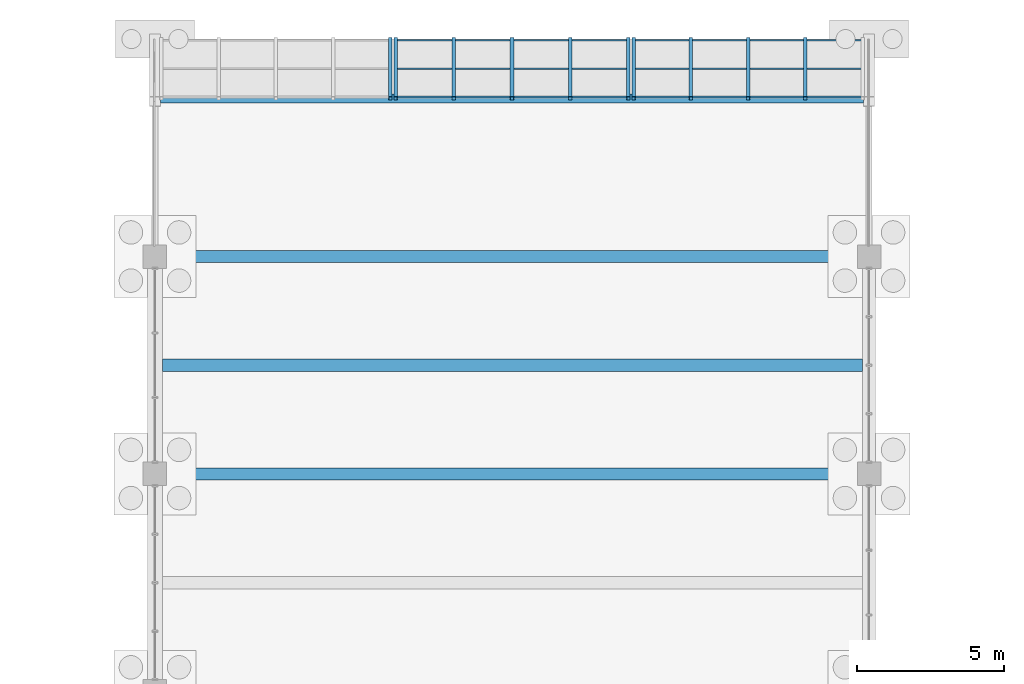
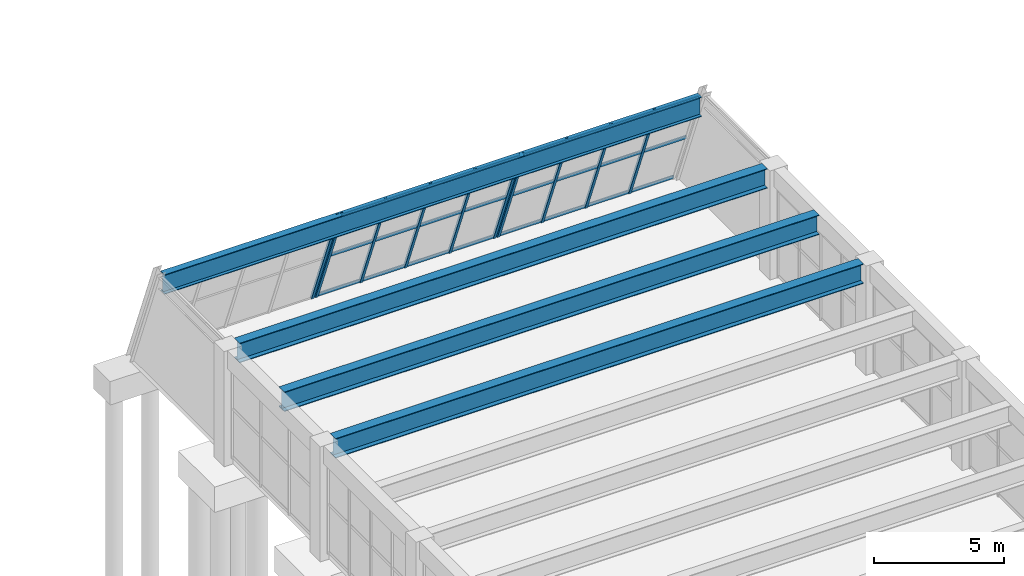
# One storey, part 88 of 140: 16 members, 4 beams, 3 elements without a shape of their own.
"""IFC4 building model written with IfcOpenShell, lengths in metres."""

import ifcopenshell
import ifcopenshell.guid

model = None  # the IFC model being written
_history = None  # IfcOwnerHistory: only IFC2X3 demands one
_inside = {}  # id of a spatial element -> (the spatial element, [elements in it])
_under = {}  # id of a project, library or spatial element -> (it, [spatial elements below it])
_declared = {}  # id of a project -> (the project, [libraries it declares])
_typed = {}  # id of a type object -> (the type object, [elements of that type])
_made_of = {}  # id of a material, layer set ... -> (it, [elements and type objects made of it])


def new_model(schema):
    """Start an empty IFC model of exactly this schema.

    Asked for "IFC4X3", IfcOpenShell would pick the latest addendum, in which some entities
    have other attributes; the version numbers below select the first issue.
    IFC2X3 requires an IfcOwnerHistory on every rooted entity: one is made here for all.
    """
    global model, _history
    if schema == "IFC4X3":
        model = ifcopenshell.file(schema_version=(4, 3, 0, 0))
    else:
        model = ifcopenshell.file(schema=schema)
    _inside.clear()
    _under.clear()
    _declared.clear()
    _typed.clear()
    _made_of.clear()
    _history = None
    if model.schema == "IFC2X3":
        org = make("IfcOrganization", Name="unknown")
        user = make(
            "IfcPersonAndOrganization",
            ThePerson=make("IfcPerson", FamilyName="unknown"),
            TheOrganization=org,
        )
        app = make(
            "IfcApplication",
            ApplicationDeveloper=org,
            Version="unknown",
            ApplicationFullName="unknown",
            ApplicationIdentifier="unknown",
        )
        _history = make(
            "IfcOwnerHistory",
            OwningUser=user,
            OwningApplication=app,
            ChangeAction="ADDED",
            CreationDate=0,
        )
    return model


def make(cls, **values):
    """One entity of the class cls with the attributes given. An attribute that is None is left unset."""
    return model.create_entity(
        cls, **{name: value for name, value in values.items() if value is not None}
    )


def rooted(cls, **values):
    """An entity with a GlobalId (a new one), such as an element, a storey or a relation."""
    return make(cls, GlobalId=ifcopenshell.guid.new(), OwnerHistory=_history, **values)


def si_unit(unit_type, name, prefix=None):
    """IfcSIUnit, for example si_unit("LENGTHUNIT", "METRE", prefix="MILLI")."""
    return make("IfcSIUnit", UnitType=unit_type, Prefix=prefix, Name=name)


def assignment(units):
    """IfcUnitAssignment: the units of a project."""
    return None if units is None else make("IfcUnitAssignment", Units=units)


def point(xyz):
    """IfcCartesianPoint."""
    return None if xyz is None else make("IfcCartesianPoint", Coordinates=xyz)


def direction(xyz):
    """IfcDirection."""
    return None if xyz is None else make("IfcDirection", DirectionRatios=xyz)


def frame(location, z_axis=None, x_axis=None):
    """IfcAxis2Placement3D, a coordinate frame: its origin and axes. An axis left out is left unset."""
    return make(
        "IfcAxis2Placement3D",
        Location=point(location),
        Axis=direction(z_axis),
        RefDirection=direction(x_axis),
    )


def frame_2d(location, x_axis=None):
    """IfcAxis2Placement2D, a coordinate frame in the plane: its origin and x axis."""
    return make(
        "IfcAxis2Placement2D", Location=point(location), RefDirection=direction(x_axis)
    )


def origin():
    """The frame at (0, 0, 0) with its axes left unset."""
    return frame((0.0, 0.0, 0.0))


def origin_2d():
    """The frame at (0, 0) in the plane with its x axis left unset."""
    return frame_2d((0.0, 0.0))


def place(relative_to, where):
    """IfcLocalPlacement: puts the frame where relative to a parent placement (None: the world)."""
    return make(
        "IfcLocalPlacement", PlacementRelTo=relative_to, RelativePlacement=where
    )


def context(
    kind, dimensions, precision=None, world=None, true_north=None, identifier=None
):
    """IfcGeometricRepresentationContext, for example the 3D "Model" context."""
    return make(
        "IfcGeometricRepresentationContext",
        ContextIdentifier=identifier,
        ContextType=kind,
        CoordinateSpaceDimension=dimensions,
        Precision=precision,
        WorldCoordinateSystem=world,
        TrueNorth=true_north,
    )


def subcontext(parent, identifier, kind, view, scale=None):
    """IfcGeometricRepresentationSubContext, for example "Body" below "Model"."""
    return make(
        "IfcGeometricRepresentationSubContext",
        ContextIdentifier=identifier,
        ContextType=kind,
        ParentContext=parent,
        TargetScale=scale,
        TargetView=view,
    )


def project(units=None, contexts=None):
    """IfcProject with its units and contexts."""
    return rooted(
        "IfcProject",
        Name="project",
        RepresentationContexts=contexts,
        UnitsInContext=assignment(units),
    )


def spatial(cls, under=None, at=None, **own):
    """A site, building, storey or space (cls), placed at a placement, below another one or the project."""
    s = rooted(cls, ObjectPlacement=at, **own)
    if under is not None:
        _under.setdefault(under.id(), (under, []))[1].append(s)
    return s


def profile(cls, at=None, kind="AREA", **sizes):
    """A parametric profile (cls). Its sizes go by their IFC names, for example OverallWidth=200.0."""
    return make(cls, ProfileType=kind, Position=at, **sizes)


def hollow_rectangle(**sizes):
    """IfcRectangleHollowProfileDef."""
    return profile("IfcRectangleHollowProfileDef", **sizes)


def i_section(**sizes):
    """IfcIShapeProfileDef."""
    return profile("IfcIShapeProfileDef", **sizes)


def extrude(swept, where, along, depth):
    """IfcExtrudedAreaSolid: the profile swept, set in the frame where, extruded along a direction by depth."""
    return make(
        "IfcExtrudedAreaSolid",
        SweptArea=swept,
        Position=where,
        ExtrudedDirection=direction(along),
        Depth=depth,
    )


def shape(context_of_items, identifier, shape_type, items):
    """IfcShapeRepresentation: the items that make up one representation, for example the "Body"."""
    return make(
        "IfcShapeRepresentation",
        ContextOfItems=context_of_items,
        RepresentationIdentifier=identifier,
        RepresentationType=shape_type,
        Items=items,
    )


def material(Name=None, Category=None):
    """IfcMaterial."""
    return make("IfcMaterial", Name=Name, Category=Category)


def material_profile(
    of_material, cross_section, Name=None, Category=None, Priority=None
):
    """IfcMaterialProfile: a cross section and its material."""
    return make(
        "IfcMaterialProfile",
        Name=Name,
        Material=of_material,
        Profile=cross_section,
        Priority=Priority,
        Category=Category,
    )


def profile_set(profiles, Name=None, composite=None):
    """IfcMaterialProfileSet."""
    return make(
        "IfcMaterialProfileSet",
        Name=Name,
        MaterialProfiles=profiles,
        CompositeProfile=composite,
    )


def made_of(thing, what):
    """Note that an element or type object is made of a material, layer set ...; save() writes the relation."""
    if what is not None:
        _made_of.setdefault(what.id(), (what, []))[1].append(thing)
    return thing


def type_object(cls, material=None, **own):
    """A type object (cls), such as IfcWallType, which elements share."""
    return made_of(rooted(cls, **own), material)


def element(
    cls,
    number,
    at=None,
    inside=None,
    cuts=None,
    type_object=None,
    material=None,
    context=None,
    identifier="Body",
    shape_type=None,
    held_by="IfcProductDefinitionShape",
    body=None,
    shapes=None,
    **own,
):
    """One element of the class cls, such as IfcWall. Its Tag is "e" and its number.

    at: its placement. inside: the storey or other place that contains it. cuts: it is an
    opening in that element (IfcRelVoidsElement). A single representation is given by context,
    identifier, shape_type and body (its items); several are given by shapes. held_by: the class
    of the entity that holds the representations. save() writes the other relations.
    """
    e = rooted(cls, Tag="e%d" % number, ObjectPlacement=at, **own)
    if body is not None:
        shapes = [shape(context, identifier, shape_type, body)]
    if shapes is not None:
        e.Representation = make(held_by, Representations=shapes)
    if inside is not None:
        _inside.setdefault(inside.id(), (inside, []))[1].append(e)
    if cuts is not None:
        rooted(
            "IfcRelVoidsElement", RelatingBuildingElement=cuts, RelatedOpeningElement=e
        )
    if type_object is not None:
        _typed.setdefault(type_object.id(), (type_object, []))[1].append(e)
    return made_of(e, material)


def aggregate(whole, parts):
    """IfcRelAggregates: a whole, such as a stair, and the parts it consists of."""
    return rooted("IfcRelAggregates", RelatingObject=whole, RelatedObjects=parts)


def save(model, path):
    """Write the relations noted so far, then the file.

    IfcRelAggregates (storeys below a building ...), IfcRelContainedInSpatialStructure (elements
    in a storey), IfcRelDefinesByType, IfcRelAssociatesMaterial and IfcRelDeclares: one each for
    every whole, place, type object, material and project.
    """
    for whole, parts in _under.values():
        aggregate(whole, parts)
    for where, things in _inside.values():
        rooted(
            "IfcRelContainedInSpatialStructure",
            RelatedElements=things,
            RelatingStructure=where,
        )
    for kind, things in _typed.values():
        rooted("IfcRelDefinesByType", RelatedObjects=things, RelatingType=kind)
    for what, things in _made_of.values():
        rooted("IfcRelAssociatesMaterial", RelatedObjects=things, RelatingMaterial=what)
    for by, libraries in _declared.values():
        rooted("IfcRelDeclares", RelatingContext=by, RelatedDefinitions=libraries)
    model.write(path)


model = new_model("IFC4")

# Units and contexts
model_context = context("Model", 3, precision=1e-05, world=origin(), true_north=direction((0.0, 1.0)))
body_context = subcontext(model_context, "Body", "Model", "MODEL_VIEW")
ifc_project = project(units=[si_unit("LENGTHUNIT", "METRE"), si_unit("AREAUNIT", "SQUARE_METRE"), si_unit("VOLUMEUNIT", "CUBIC_METRE"), si_unit("PLANEANGLEUNIT", "RADIAN"), si_unit("MASSUNIT", "GRAM", prefix="KILO")], contexts=[model_context])

# Site, building, storey
site_placement = place(None, origin())
site = spatial("IfcSite", under=ifc_project, at=site_placement, CompositionType="ELEMENT")
building_placement = place(site_placement, origin())
building = spatial("IfcBuilding", under=site, at=building_placement, Name="Cimatlan Art Gallery", CompositionType="ELEMENT")
storey_placement = place(building_placement, origin())
storey = spatial("IfcBuildingStorey", under=building, at=storey_placement, Name="L00", CompositionType="ELEMENT", Elevation=0.0)

# Beams
ifc_material_1 = material(Name="Steel ASTM A992 Grade 50", Category="steel")
ifc_material_profile_1 = material_profile(ifc_material_1, i_section(OverallWidth=0.41796875, OverallDepth=0.927001953125, WebThickness=0.019287109375, FlangeThickness=0.031982421875, at=origin_2d()), Name="W36X231")
ifc_profile_set_1 = profile_set([ifc_material_profile_1], Name="Steel ASTM A992 Grade 50")
beam_type_1 = type_object("IfcBeamType", Name="BM-SPAN24-L01", PredefinedType="BEAM", material=ifc_profile_set_1)
beam_1_placement = place(storey_placement, frame((75.300048828125, 97.89990234375, 4.67138671875), z_axis=(1.0, 0.0, 0.0), x_axis=(0.0, 1.0, 0.0)))
element("IfcBeam", 1, at=beam_1_placement, inside=storey, type_object=beam_type_1, Name="BM-SP24-L00-13", PredefinedType="BEAM", context=body_context, shape_type="SweptSolid", body=[
    extrude(i_section(OverallWidth=0.41796875, OverallDepth=0.927001953125, WebThickness=0.019287109375, FlangeThickness=0.031982421875, at=origin_2d()), origin(), (0.0, 0.0, 1.0), 23.5),
])
beam_2_placement = place(storey_placement, frame((75.14990234375, 101.60009765625, 4.67138671875), z_axis=(1.0, 0.0, 0.0), x_axis=(0.0, 1.0, 0.0)))
element("IfcBeam", 2, at=beam_2_placement, inside=storey, type_object=beam_type_1, Name="BM-SP24M-L00-13", PredefinedType="BEAM", context=body_context, shape_type="SweptSolid", body=[
    extrude(i_section(OverallWidth=0.41796875, OverallDepth=0.927001953125, WebThickness=0.019287109375, FlangeThickness=0.031982421875, at=origin_2d()), origin(), (0.0, 0.0, 1.0), 23.8251953125),
])
beam_3_placement = place(storey_placement, frame((75.300048828125, 105.300048828125, 4.67138671875), z_axis=(1.0, 0.0, 0.0), x_axis=(0.0, 1.0, 0.0)))
element("IfcBeam", 3, at=beam_3_placement, inside=storey, type_object=beam_type_1, Name="BM-SP24-L00-14", PredefinedType="BEAM", context=body_context, shape_type="SweptSolid", body=[
    extrude(i_section(OverallWidth=0.41796875, OverallDepth=0.927001953125, WebThickness=0.019287109375, FlangeThickness=0.031982421875, at=origin_2d()), origin(), (0.0, 0.0, 1.0), 23.5),
])
ifc_material_profile_2 = material_profile(ifc_material_1, i_section(OverallWidth=0.306884765625, OverallDepth=0.923095703125, WebThickness=0.018310546875, FlangeThickness=0.030029296875, at=origin_2d()), Name="W36X182")
ifc_profile_set_2 = profile_set([ifc_material_profile_2], Name="Steel ASTM A992 Grade 50")
beam_type_2 = type_object("IfcBeamType", Name="BM-SPAN24-L02", PredefinedType="BEAM", material=ifc_profile_set_2)
beam_4_placement = place(storey_placement, frame((75.090087890625, 110.67724609375, 4.673583984375), z_axis=(1.0, 0.0, 0.0), x_axis=(0.0, 1.0, 0.0)))
element("IfcBeam", 4, at=beam_4_placement, inside=storey, type_object=beam_type_2, Name="BM-PRW-X-L00-B3", PredefinedType="BEAM", context=body_context, shape_type="SweptSolid", body=[
    extrude(i_section(OverallWidth=0.306884765625, OverallDepth=0.923095703125, WebThickness=0.018310546875, FlangeThickness=0.030029296875, at=origin_2d()), origin(), (0.0, 0.0, 1.0), 23.919921875),
])

# Curtain wall, member
ifc_material_2 = material(Name="Raked steel-and-bronze lancet curtain wall", Category="steel")
curtain_wall_type_1 = type_object("IfcCurtainWallType", Name="CW-RAK-07790X05503-B4", PredefinedType="NOTDEFINED", material=ifc_material_2)
curtain_wall_1_placement = place(storey_placement, origin())
curtain_wall_1 = element("IfcCurtainWall", 5, at=curtain_wall_1_placement, inside=storey, type_object=curtain_wall_type_1, Name="CW-PROW-L00-B3-9", PredefinedType="NOTDEFINED")
ifc_material_3 = material(Name="Steel ASTM A500 Grade C", Category="steel")
ifc_material_profile_3 = material_profile(ifc_material_3, hollow_rectangle(XDim=0.1201171875, YDim=0.1201171875, WallThickness=0.00634765625, at=origin_2d()), Name="HSS120X120X6")
ifc_profile_set_3 = profile_set([ifc_material_profile_3], Name="Steel ASTM A500 Grade C")
member_type_1 = type_object("IfcMemberType", Name="CW-MUL-RAK", PredefinedType="MULLION", material=ifc_profile_set_3)
member_1_placement = place(storey_placement, frame((82.909912109375, 112.699951171875, 0.0), z_axis=(0.0, -0.366497751223, 0.930418937011), x_axis=(1.0, 0.0, 0.0)))
member_1 = element("IfcMember", 6, at=member_1_placement, type_object=member_type_1, Name="CW-PROW-L00-B3-9-M5", PredefinedType="MULLION", context=body_context, shape_type="SweptSolid", body=[
    extrude(hollow_rectangle(XDim=0.1201171875, YDim=0.1201171875, WallThickness=0.00634765625, at=origin_2d()), origin(), (0.0, 0.0, 1.0), 5.5029296875),
])
aggregate(curtain_wall_1, [member_1])

# Curtain wall, members
curtain_wall_type_2 = type_object("IfcCurtainWallType", Name="CW-RAK-07920X05503-B4", PredefinedType="NOTDEFINED", material=ifc_material_2)
curtain_wall_2_placement = place(storey_placement, origin())
curtain_wall_2 = element("IfcCurtainWall", 7, at=curtain_wall_2_placement, inside=storey, type_object=curtain_wall_type_2, Name="CW-PROW-L00-B3-10", PredefinedType="NOTDEFINED")
member_2_placement = place(storey_placement, frame((83.090087890625, 112.699951171875, 0.0), z_axis=(0.0, -0.366497751223, 0.930418937011), x_axis=(1.0, 0.0, 0.0)))
member_2 = element("IfcMember", 8, at=member_2_placement, type_object=member_type_1, Name="CW-PROW-L00-B3-10-M1", PredefinedType="MULLION", context=body_context, shape_type="SweptSolid", body=[
    extrude(hollow_rectangle(XDim=0.1201171875, YDim=0.1201171875, WallThickness=0.00634765625, at=origin_2d()), origin(), (0.0, 0.0, 1.0), 5.5029296875),
])
member_3_placement = place(storey_placement, frame((85.070068359375, 112.699951171875, 0.0), z_axis=(0.0, -0.366497751223, 0.930418937011), x_axis=(1.0, 0.0, 0.0)))
member_3 = element("IfcMember", 9, at=member_3_placement, type_object=member_type_1, Name="CW-PROW-L00-B3-10-M2", PredefinedType="MULLION", context=body_context, shape_type="SweptSolid", body=[
    extrude(hollow_rectangle(XDim=0.1201171875, YDim=0.1201171875, WallThickness=0.00634765625, at=origin_2d()), origin(), (0.0, 0.0, 1.0), 5.5029296875),
])
member_4_placement = place(storey_placement, frame((87.050048828125, 112.699951171875, 0.0), z_axis=(0.0, -0.366497751223, 0.930418937011), x_axis=(1.0, 0.0, 0.0)))
member_4 = element("IfcMember", 10, at=member_4_placement, type_object=member_type_1, Name="CW-PROW-L00-B3-10-M3", PredefinedType="MULLION", context=body_context, shape_type="SweptSolid", body=[
    extrude(hollow_rectangle(XDim=0.1201171875, YDim=0.1201171875, WallThickness=0.00634765625, at=origin_2d()), origin(), (0.0, 0.0, 1.0), 5.5029296875),
])
member_5_placement = place(storey_placement, frame((89.030029296875, 112.699951171875, 0.0), z_axis=(0.0, -0.366497751223, 0.930418937011), x_axis=(1.0, 0.0, 0.0)))
member_5 = element("IfcMember", 11, at=member_5_placement, type_object=member_type_1, Name="CW-PROW-L00-B3-10-M4", PredefinedType="MULLION", context=body_context, shape_type="SweptSolid", body=[
    extrude(hollow_rectangle(XDim=0.1201171875, YDim=0.1201171875, WallThickness=0.00634765625, at=origin_2d()), origin(), (0.0, 0.0, 1.0), 5.5029296875),
])
member_6_placement = place(storey_placement, frame((91.010009765625, 112.699951171875, 0.0), z_axis=(0.0, -0.366497751223, 0.930418937011), x_axis=(1.0, 0.0, 0.0)))
member_6 = element("IfcMember", 12, at=member_6_placement, type_object=member_type_1, Name="CW-PROW-L00-B3-10-M5", PredefinedType="MULLION", context=body_context, shape_type="SweptSolid", body=[
    extrude(hollow_rectangle(XDim=0.1201171875, YDim=0.1201171875, WallThickness=0.00634765625, at=origin_2d()), origin(), (0.0, 0.0, 1.0), 5.5029296875),
])

curtain_wall_3_placement = place(storey_placement, origin())
curtain_wall_3 = element("IfcCurtainWall", 13, at=curtain_wall_3_placement, inside=storey, type_object=curtain_wall_type_1, Name="CW-PROW-L00-B3-11", PredefinedType="NOTDEFINED")
member_7_placement = place(storey_placement, frame((91.18994140625, 112.699951171875, 0.0), z_axis=(0.0, -0.366497751223, 0.930418937011), x_axis=(1.0, 0.0, 0.0)))
member_7 = element("IfcMember", 14, at=member_7_placement, type_object=member_type_1, Name="CW-PROW-L00-B3-11-M1", PredefinedType="MULLION", context=body_context, shape_type="SweptSolid", body=[
    extrude(hollow_rectangle(XDim=0.1201171875, YDim=0.1201171875, WallThickness=0.00634765625, at=origin_2d()), origin(), (0.0, 0.0, 1.0), 5.5029296875),
])
member_8_placement = place(storey_placement, frame((93.137451171875, 112.699951171875, 0.0), z_axis=(0.0, -0.366497751223, 0.930418937011), x_axis=(1.0, 0.0, 0.0)))
member_8 = element("IfcMember", 15, at=member_8_placement, type_object=member_type_1, Name="CW-PROW-L00-B3-11-M2", PredefinedType="MULLION", context=body_context, shape_type="SweptSolid", body=[
    extrude(hollow_rectangle(XDim=0.1201171875, YDim=0.1201171875, WallThickness=0.00634765625, at=origin_2d()), origin(), (0.0, 0.0, 1.0), 5.5029296875),
])
member_9_placement = place(storey_placement, frame((95.0849609375, 112.699951171875, 0.0), z_axis=(0.0, -0.366497751223, 0.930418937011), x_axis=(1.0, 0.0, 0.0)))
member_9 = element("IfcMember", 16, at=member_9_placement, type_object=member_type_1, Name="CW-PROW-L00-B3-11-M3", PredefinedType="MULLION", context=body_context, shape_type="SweptSolid", body=[
    extrude(hollow_rectangle(XDim=0.1201171875, YDim=0.1201171875, WallThickness=0.00634765625, at=origin_2d()), origin(), (0.0, 0.0, 1.0), 5.5029296875),
])
member_10_placement = place(storey_placement, frame((97.032470703125, 112.699951171875, 0.0), z_axis=(0.0, -0.366497751223, 0.930418937011), x_axis=(1.0, 0.0, 0.0)))
member_10 = element("IfcMember", 17, at=member_10_placement, type_object=member_type_1, Name="CW-PROW-L00-B3-11-M4", PredefinedType="MULLION", context=body_context, shape_type="SweptSolid", body=[
    extrude(hollow_rectangle(XDim=0.1201171875, YDim=0.1201171875, WallThickness=0.00634765625, at=origin_2d()), origin(), (0.0, 0.0, 1.0), 5.5029296875),
])

# Member
ifc_material_4 = material(Name="Anodised bronze aluminium 6063-T6", Category="aluminium")
ifc_material_profile_4 = material_profile(ifc_material_4, hollow_rectangle(XDim=0.06494140625, YDim=0.139892578125, WallThickness=0.00390625, at=origin_2d()), Name="ALU65X140X4")
ifc_profile_set_4 = profile_set([ifc_material_profile_4], Name="Anodised bronze aluminium 6063-T6")
member_type_2 = type_object("IfcMemberType", Name="CW-TRN-140", PredefinedType="USERDEFINED", material=ifc_profile_set_4)
member_11_placement = place(storey_placement, frame((83.090087890625, 112.65966796875, 0.102294921875), z_axis=(1.0, 0.0, 0.0), x_axis=(0.0, 1.0, 0.0)))
member_11 = element("IfcMember", 18, at=member_11_placement, type_object=member_type_2, Name="CW-PROW-L00-B3-10-T1", ObjectType="TRANSOM", PredefinedType="USERDEFINED", context=body_context, shape_type="SweptSolid", body=[
    extrude(hollow_rectangle(XDim=0.06494140625, YDim=0.139892578125, WallThickness=0.00390625, at=origin_2d()), origin(), (0.0, 0.0, 1.0), 7.919921875),
])

member_12_placement = place(storey_placement, frame((83.090087890625, 111.691650390625, 2.56005859375), z_axis=(1.0, 0.0, 0.0), x_axis=(0.0, 1.0, 0.0)))
member_12 = element("IfcMember", 19, at=member_12_placement, type_object=member_type_2, Name="CW-PROW-L00-B3-10-T2", ObjectType="TRANSOM", PredefinedType="USERDEFINED", context=body_context, shape_type="SweptSolid", body=[
    extrude(hollow_rectangle(XDim=0.06494140625, YDim=0.139892578125, WallThickness=0.00390625, at=origin_2d()), origin(), (0.0, 0.0, 1.0), 7.919921875),
])

member_13_placement = place(storey_placement, frame((83.090087890625, 110.723388671875, 5.017578125), z_axis=(1.0, 0.0, 0.0), x_axis=(0.0, 1.0, 0.0)))
member_13 = element("IfcMember", 20, at=member_13_placement, type_object=member_type_2, Name="CW-PROW-L00-B3-10-T3", ObjectType="TRANSOM", PredefinedType="USERDEFINED", context=body_context, shape_type="SweptSolid", body=[
    extrude(hollow_rectangle(XDim=0.06494140625, YDim=0.139892578125, WallThickness=0.00390625, at=origin_2d()), origin(), (0.0, 0.0, 1.0), 7.919921875),
])

aggregate(curtain_wall_2, [member_2, member_3, member_4, member_5, member_6, member_11, member_12, member_13])

member_14_placement = place(storey_placement, frame((91.18994140625, 112.65966796875, 0.102294921875), z_axis=(1.0, 0.0, 0.0), x_axis=(0.0, 1.0, 0.0)))
member_14 = element("IfcMember", 21, at=member_14_placement, type_object=member_type_2, Name="CW-PROW-L00-B3-11-T1", ObjectType="TRANSOM", PredefinedType="USERDEFINED", context=body_context, shape_type="SweptSolid", body=[
    extrude(hollow_rectangle(XDim=0.06494140625, YDim=0.139892578125, WallThickness=0.00390625, at=origin_2d()), origin(), (0.0, 0.0, 1.0), 7.7900390625),
])

member_15_placement = place(storey_placement, frame((91.18994140625, 111.691650390625, 2.56005859375), z_axis=(1.0, 0.0, 0.0), x_axis=(0.0, 1.0, 0.0)))
member_15 = element("IfcMember", 22, at=member_15_placement, type_object=member_type_2, Name="CW-PROW-L00-B3-11-T2", ObjectType="TRANSOM", PredefinedType="USERDEFINED", context=body_context, shape_type="SweptSolid", body=[
    extrude(hollow_rectangle(XDim=0.06494140625, YDim=0.139892578125, WallThickness=0.00390625, at=origin_2d()), origin(), (0.0, 0.0, 1.0), 7.7900390625),
])

member_16_placement = place(storey_placement, frame((91.18994140625, 110.723388671875, 5.017578125), z_axis=(1.0, 0.0, 0.0), x_axis=(0.0, 1.0, 0.0)))
member_16 = element("IfcMember", 23, at=member_16_placement, type_object=member_type_2, Name="CW-PROW-L00-B3-11-T3", ObjectType="TRANSOM", PredefinedType="USERDEFINED", context=body_context, shape_type="SweptSolid", body=[
    extrude(hollow_rectangle(XDim=0.06494140625, YDim=0.139892578125, WallThickness=0.00390625, at=origin_2d()), origin(), (0.0, 0.0, 1.0), 7.7900390625),
])

aggregate(curtain_wall_3, [member_7, member_8, member_9, member_10, member_14, member_15, member_16])

save(model, "model.ifc")
